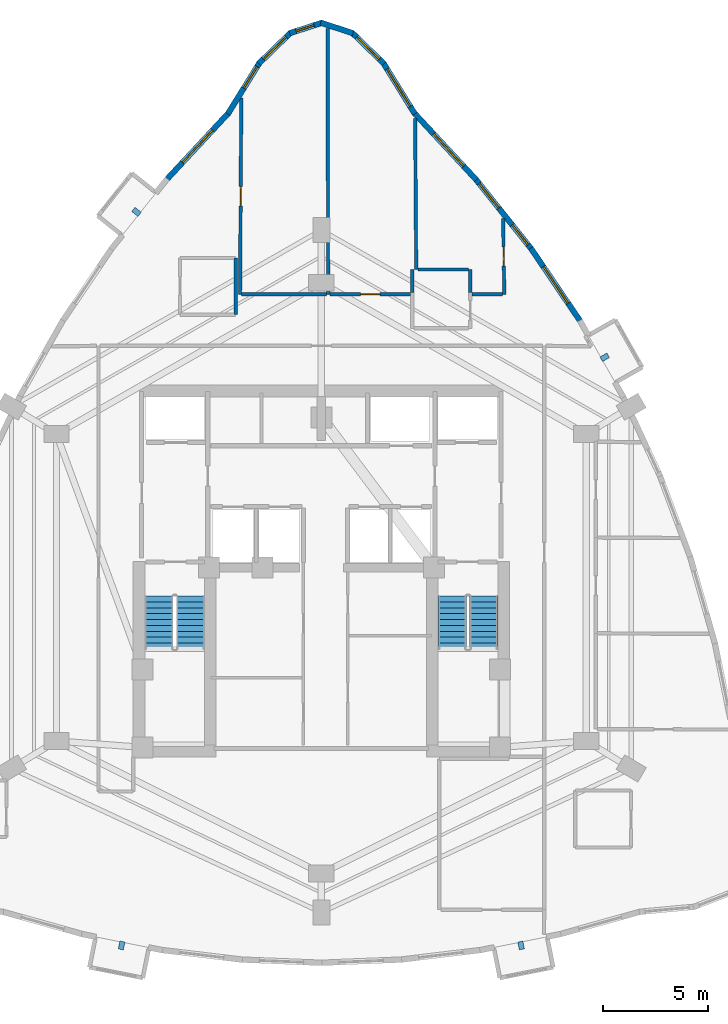
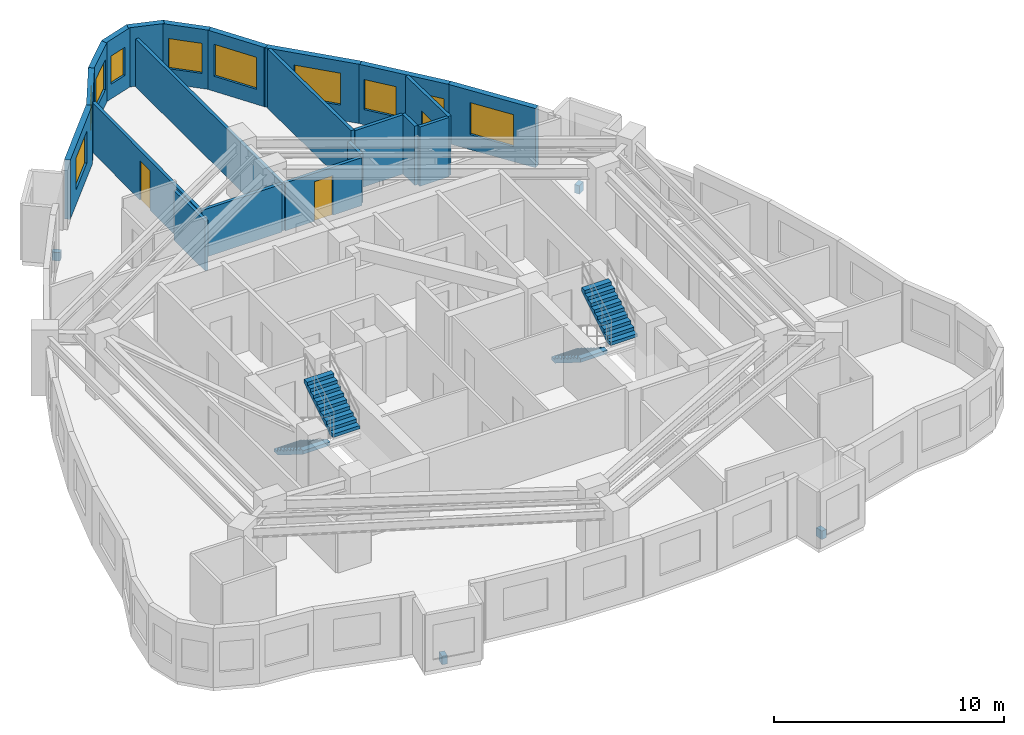
# One storey, part 8 of 9: 21 walls, 10 windows, 4 discrete accessories, 4 stair flights, 3 doors, 13 openings, 2 elements without a shape of their own.
"""IFC4 building model written with IfcOpenShell, lengths in metres."""

from ifc_helpers import new_model, si_unit, direction, frame, frame_2d, origin, origin_2d, place, context, subcontext, project, spatial, polyline, rectangle, outline, extrude, material, layer, layer_set, type_object, element, fill, aggregate, save


model = new_model("IFC4")

# Units and contexts
model_context = context("Model", 3, precision=1e-05, world=origin(), true_north=direction((0.0, 1.0)))
body_context = subcontext(model_context, "Body", "Model", "MODEL_VIEW")
ifc_project = project(units=[si_unit("LENGTHUNIT", "METRE"), si_unit("AREAUNIT", "SQUARE_METRE"), si_unit("VOLUMEUNIT", "CUBIC_METRE"), si_unit("PLANEANGLEUNIT", "RADIAN"), si_unit("MASSUNIT", "GRAM", prefix="KILO")], contexts=[model_context])

# Site, building, storey
site_placement = place(None, origin())
site = spatial("IfcSite", under=ifc_project, at=site_placement, CompositionType="ELEMENT")
building_placement = place(site_placement, origin())
building = spatial("IfcBuilding", under=site, at=building_placement, Name="Miruveldt Soraemaru", CompositionType="ELEMENT")
storey_placement = place(building_placement, frame((0.0, 0.0, 180.89990234375)))
storey = spatial("IfcBuildingStorey", under=building, at=storey_placement, Name="L50", CompositionType="ELEMENT", Elevation=180.89990234375)

# Wall, opening, window
ifc_material_1 = material(Name="Precast concrete C45/55 (45 MPa)", Category="concrete")
ifc_layer_1 = layer(ifc_material_1, 0.27001953125, Name="Precast concrete C45/55 (45 MPa)", Category="concrete")
ifc_layer_set_1 = layer_set([ifc_layer_1], Name="Precast concrete C45/55 (45 MPa)")
wall_type_1 = type_object("IfcWallType", Name="WALL-EXT-PC270", PredefinedType="SOLIDWALL", material=ifc_layer_set_1)
wall_1_placement = place(storey_placement, frame((48.448974609375, 65.631591796875, 0.0), z_axis=(0.0, 0.0, 1.0), x_axis=(-0.526027442781, 0.850467594586, 0.0)))
wall_1 = element("IfcWall", 1, at=wall_1_placement, inside=storey, type_object=wall_type_1, Name="L50 Precast Concrete Facade Wall 1", PredefinedType="SOLIDWALL", context=body_context, shape_type="SweptSolid", body=[
    extrude(rectangle(XDim=2.87744140625, YDim=0.27001953125, at=frame_2d((1.438720703125, 0.0))), origin(), (0.0, 0.0, 1.0), 3.150146484375),
])
opening_1_placement = place(wall_1_placement, frame((0.410888671875, 0.0, 0.800048828125)))
opening_1 = element("IfcOpeningElement", 2, at=opening_1_placement, cuts=wall_1, Name="Opening WN-1", PredefinedType="OPENING", context=body_context, shape_type="SweptSolid", body=[
    extrude(rectangle(XDim=2.10009765625, YDim=1.699951171875, at=frame_2d((1.050048828125, 0.85009765625))), frame((0.0, 0.14501953125, 0.0), z_axis=(0.0, -1.0, 0.0), x_axis=(1.0, 0.0, 0.0)), (0.0, 0.0, 1.0), 0.2900390625),
])
ifc_material_2 = material(Name="Triple low-e insulated glazing", Category="glass")
window_type_1 = type_object("IfcWindowType", Name="WIN-PUNCH-2100x1700", PartitioningType="SINGLE_PANEL", PredefinedType="WINDOW", material=ifc_material_2)
window_1_placement = place(opening_1_placement, origin())
window_1 = element("IfcWindow", 3, at=window_1_placement, inside=storey, type_object=window_type_1, Name="L50 Punched Triple-Glazed Window 01.1", OverallHeight=1.699951171875, OverallWidth=2.10009765625, PartitioningType="SINGLE_PANEL", PredefinedType="WINDOW", context=body_context, shape_type="SweptSolid", body=[
    extrude(rectangle(XDim=2.10009765625, YDim=1.699951171875, at=frame_2d((1.050048828125, 0.85009765625))), frame((0.0, 0.030029296875, 0.0), z_axis=(0.0, -1.0, 0.0), x_axis=(1.0, 0.0, 0.0)), (0.0, 0.0, 1.0), 0.06005859375),
])
fill(opening_1, window_1)

wall_2_placement = place(storey_placement, frame((46.978759765625, 68.024658203125, 0.0), z_axis=(0.0, 0.0, 1.0), x_axis=(-0.717756117481, 0.696294589824, 0.0)))
wall_2 = element("IfcWall", 4, at=wall_2_placement, inside=storey, type_object=wall_type_1, Name="L50 Precast Concrete Facade Wall 2", PredefinedType="SOLIDWALL", context=body_context, shape_type="SweptSolid", body=[
    extrude(rectangle(XDim=2.127197265625, YDim=0.27001953125, at=frame_2d((1.0634765625, 0.0))), origin(), (0.0, 0.0, 1.0), 3.150146484375),
])
opening_2_placement = place(wall_2_placement, frame((0.31396484375, 0.0, 0.800048828125)))
opening_2 = element("IfcOpeningElement", 5, at=opening_2_placement, cuts=wall_2, Name="Opening WN-3", PredefinedType="OPENING", context=body_context, shape_type="SweptSolid", body=[
    extrude(rectangle(XDim=1.5, YDim=1.60009765625, at=frame_2d((0.75, 0.800048828125))), frame((0.0, 0.14501953125, 0.0), z_axis=(0.0, -1.0, 0.0), x_axis=(1.0, 0.0, 0.0)), (0.0, 0.0, 1.0), 0.2900390625),
])
window_type_2 = type_object("IfcWindowType", Name="WIN-PUNCH-1500x1600", PartitioningType="SINGLE_PANEL", PredefinedType="WINDOW", material=ifc_material_2)
window_2_placement = place(opening_2_placement, origin())
window_2 = element("IfcWindow", 6, at=window_2_placement, inside=storey, type_object=window_type_2, Name="L50 Punched Triple-Glazed Window 02.1", OverallHeight=1.60009765625, OverallWidth=1.5, PartitioningType="SINGLE_PANEL", PredefinedType="WINDOW", context=body_context, shape_type="SweptSolid", body=[
    extrude(rectangle(XDim=1.5, YDim=1.60009765625, at=frame_2d((0.75, 0.800048828125))), frame((0.0, 0.030029296875, 0.0), z_axis=(0.0, -1.0, 0.0), x_axis=(1.0, 0.0, 0.0)), (0.0, 0.0, 1.0), 0.06005859375),
])
fill(opening_2, window_2)

# Wall
wall_3_placement = place(storey_placement, frame((45.51025390625, 69.470703125, 0.0), z_axis=(0.0, 0.0, 1.0), x_axis=(-0.951504137701, 0.307635947083, 0.0)))
element("IfcWall", 7, at=wall_3_placement, inside=storey, type_object=wall_type_1, Name="L50 Precast Concrete Facade Wall 3", PredefinedType="SOLIDWALL", context=body_context, shape_type="SweptSolid", body=[
    extrude(rectangle(XDim=1.6220703125, YDim=0.27001953125, at=frame_2d((0.81103515625, 0.0))), origin(), (0.0, 0.0, 1.0), 3.150146484375),
])

# Wall, opening, window
wall_4_placement = place(storey_placement, frame((44.033203125, 69.9697265625, 0.0), z_axis=(0.0, 0.0, 1.0), x_axis=(-0.951504137701, -0.307635947083, 0.0)))
wall_4 = element("IfcWall", 8, at=wall_4_placement, inside=storey, type_object=wall_type_1, Name="L50 Precast Concrete Facade Wall 4", PredefinedType="SOLIDWALL", context=body_context, shape_type="SweptSolid", body=[
    extrude(rectangle(XDim=1.6220703125, YDim=0.27001953125, at=frame_2d((0.81103515625, 0.0))), origin(), (0.0, 0.0, 1.0), 3.150146484375),
])
opening_3_placement = place(wall_4_placement, frame((0.39501953125, 0.0, 0.780029296875)))
opening_3 = element("IfcOpeningElement", 9, at=opening_3_placement, cuts=wall_4, Name="Opening WN-7", PredefinedType="OPENING", context=body_context, shape_type="SweptSolid", body=[
    extrude(rectangle(XDim=0.89990234375, YDim=1.5, at=frame_2d((0.449951171875, 0.75))), frame((0.0, 0.14501953125, 0.0), z_axis=(0.0, -1.0, 0.0), x_axis=(1.0, 0.0, 0.0)), (0.0, 0.0, 1.0), 0.2900390625),
])
window_type_3 = type_object("IfcWindowType", Name="WIN-PUNCH-900x1500", PartitioningType="SINGLE_PANEL", PredefinedType="WINDOW", material=ifc_material_2)
window_3_placement = place(opening_3_placement, origin())
window_3 = element("IfcWindow", 10, at=window_3_placement, inside=storey, type_object=window_type_3, Name="L50 Punched Triple-Glazed Window 04.1", OverallHeight=1.5, OverallWidth=0.89990234375, PartitioningType="SINGLE_PANEL", PredefinedType="WINDOW", context=body_context, shape_type="SweptSolid", body=[
    extrude(rectangle(XDim=0.89990234375, YDim=1.5, at=frame_2d((0.449951171875, 0.75))), frame((0.0, 0.030029296875, 0.0), z_axis=(0.0, -1.0, 0.0), x_axis=(1.0, 0.0, 0.0)), (0.0, 0.0, 1.0), 0.06005859375),
])
fill(opening_3, window_3)

wall_5_placement = place(storey_placement, frame((42.548095703125, 69.505859375, 0.0), z_axis=(0.0, 0.0, 1.0), x_axis=(-0.717756117481, -0.696294589824, 0.0)))
wall_5 = element("IfcWall", 11, at=wall_5_placement, inside=storey, type_object=wall_type_1, Name="L50 Precast Concrete Facade Wall 5", PredefinedType="SOLIDWALL", context=body_context, shape_type="SweptSolid", body=[
    extrude(rectangle(XDim=2.127197265625, YDim=0.27001953125, at=frame_2d((1.0634765625, 0.0))), origin(), (0.0, 0.0, 1.0), 3.150146484375),
])
opening_4_placement = place(wall_5_placement, frame((0.31396484375, 0.0, 0.800048828125)))
opening_4 = element("IfcOpeningElement", 12, at=opening_4_placement, cuts=wall_5, Name="Opening WN-3", PredefinedType="OPENING", context=body_context, shape_type="SweptSolid", body=[
    extrude(rectangle(XDim=1.5, YDim=1.60009765625, at=frame_2d((0.75, 0.800048828125))), frame((0.0, 0.14501953125, 0.0), z_axis=(0.0, -1.0, 0.0), x_axis=(1.0, 0.0, 0.0)), (0.0, 0.0, 1.0), 0.2900390625),
])
window_4_placement = place(opening_4_placement, origin())
window_4 = element("IfcWindow", 13, at=window_4_placement, inside=storey, type_object=window_type_2, Name="L50 Punched Triple-Glazed Window 05.1", OverallHeight=1.60009765625, OverallWidth=1.5, PartitioningType="SINGLE_PANEL", PredefinedType="WINDOW", context=body_context, shape_type="SweptSolid", body=[
    extrude(rectangle(XDim=1.5, YDim=1.60009765625, at=frame_2d((0.75, 0.800048828125))), frame((0.0, 0.030029296875, 0.0), z_axis=(0.0, -1.0, 0.0), x_axis=(1.0, 0.0, 0.0)), (0.0, 0.0, 1.0), 0.06005859375),
])
fill(opening_4, window_4)

wall_6_placement = place(storey_placement, frame((41.064697265625, 68.078857421875, 0.0), z_axis=(0.0, 0.0, 1.0), x_axis=(-0.526027442781, -0.850467594586, 0.0)))
wall_6 = element("IfcWall", 14, at=wall_6_placement, inside=storey, type_object=wall_type_1, Name="L50 Precast Concrete Facade Wall 6", PredefinedType="SOLIDWALL", context=body_context, shape_type="SweptSolid", body=[
    extrude(rectangle(XDim=2.87744140625, YDim=0.27001953125, at=frame_2d((1.438720703125, 0.0))), origin(), (0.0, 0.0, 1.0), 3.150146484375),
])
opening_5_placement = place(wall_6_placement, frame((0.23095703125, 0.0, 0.780029296875)))
opening_5 = element("IfcOpeningElement", 15, at=opening_5_placement, cuts=wall_6, Name="Opening WN-4", PredefinedType="OPENING", context=body_context, shape_type="SweptSolid", body=[
    extrude(rectangle(XDim=1.199951171875, YDim=1.550048828125, at=frame_2d((0.60009765625, 0.77490234375))), frame((0.0, 0.14501953125, 0.0), z_axis=(0.0, -1.0, 0.0), x_axis=(1.0, 0.0, 0.0)), (0.0, 0.0, 1.0), 0.2900390625),
])
window_type_4 = type_object("IfcWindowType", Name="WIN-PUNCH-1200x1550", PartitioningType="SINGLE_PANEL", PredefinedType="WINDOW", material=ifc_material_2)
window_5_placement = place(opening_5_placement, origin())
window_5 = element("IfcWindow", 16, at=window_5_placement, inside=storey, type_object=window_type_4, Name="L50 Punched Triple-Glazed Window 06.1", OverallHeight=1.550048828125, OverallWidth=1.199951171875, PartitioningType="SINGLE_PANEL", PredefinedType="WINDOW", context=body_context, shape_type="SweptSolid", body=[
    extrude(rectangle(XDim=1.199951171875, YDim=1.550048828125, at=frame_2d((0.60009765625, 0.77490234375))), frame((0.0, 0.030029296875, 0.0), z_axis=(0.0, -1.0, 0.0), x_axis=(1.0, 0.0, 0.0)), (0.0, 0.0, 1.0), 0.06005859375),
])
fill(opening_5, window_5)

wall_7_placement = place(storey_placement, frame((39.59326171875, 65.68701171875, 0.0), z_axis=(0.0, 0.0, 1.0), x_axis=(-0.680895300914, -0.732380767902, 0.0)))
wall_7 = element("IfcWall", 17, at=wall_7_placement, inside=storey, type_object=wall_type_1, Name="L50 Precast Concrete Facade Wall 7", PredefinedType="SOLIDWALL", context=body_context, shape_type="SweptSolid", body=[
    extrude(rectangle(XDim=4.362548828125, YDim=0.27001953125, at=frame_2d((2.18115234375, 0.0))), origin(), (0.0, 0.0, 1.0), 3.150146484375),
])
opening_6_placement = place(wall_7_placement, frame((1.131103515625, 0.0, 0.800048828125)))
opening_6 = element("IfcOpeningElement", 18, at=opening_6_placement, cuts=wall_7, Name="Opening WN-1", PredefinedType="OPENING", context=body_context, shape_type="SweptSolid", body=[
    extrude(rectangle(XDim=2.10009765625, YDim=1.699951171875, at=frame_2d((1.050048828125, 0.85009765625))), frame((0.0, 0.14501953125, 0.0), z_axis=(0.0, -1.0, 0.0), x_axis=(1.0, 0.0, 0.0)), (0.0, 0.0, 1.0), 0.2900390625),
])
window_6_placement = place(opening_6_placement, origin())
window_6 = element("IfcWindow", 19, at=window_6_placement, inside=storey, type_object=window_type_1, Name="L50 Punched Triple-Glazed Window 07.1", OverallHeight=1.699951171875, OverallWidth=2.10009765625, PartitioningType="SINGLE_PANEL", PredefinedType="WINDOW", context=body_context, shape_type="SweptSolid", body=[
    extrude(rectangle(XDim=2.10009765625, YDim=1.699951171875, at=frame_2d((1.050048828125, 0.85009765625))), frame((0.0, 0.030029296875, 0.0), z_axis=(0.0, -1.0, 0.0), x_axis=(1.0, 0.0, 0.0)), (0.0, 0.0, 1.0), 0.06005859375),
])
fill(opening_6, window_6)

wall_8_placement = place(storey_placement, frame((56.337158203125, 55.745849609375, 0.0), z_axis=(0.0, 0.0, 1.0), x_axis=(-0.560820092429, 0.827937693265, 0.0)))
wall_8 = element("IfcWall", 20, at=wall_8_placement, inside=storey, type_object=wall_type_1, Name="L50 Precast Concrete Facade Wall 40", PredefinedType="SOLIDWALL", context=body_context, shape_type="SweptSolid", body=[
    extrude(rectangle(XDim=4.233642578125, YDim=0.27001953125, at=frame_2d((2.11669921875, 0.0))), origin(), (0.0, 0.0, 1.0), 3.150146484375),
])
opening_7_placement = place(wall_8_placement, frame((1.06689453125, 0.0, 0.800048828125)))
opening_7 = element("IfcOpeningElement", 21, at=opening_7_placement, cuts=wall_8, Name="Opening WN-1", PredefinedType="OPENING", context=body_context, shape_type="SweptSolid", body=[
    extrude(rectangle(XDim=2.10009765625, YDim=1.699951171875, at=frame_2d((1.050048828125, 0.85009765625))), frame((0.0, 0.14501953125, 0.0), z_axis=(0.0, -1.0, 0.0), x_axis=(1.0, 0.0, 0.0)), (0.0, 0.0, 1.0), 0.2900390625),
])
window_7_placement = place(opening_7_placement, origin())
window_7 = element("IfcWindow", 22, at=window_7_placement, inside=storey, type_object=window_type_1, Name="L50 Punched Triple-Glazed Window 40.1", OverallHeight=1.699951171875, OverallWidth=2.10009765625, PartitioningType="SINGLE_PANEL", PredefinedType="WINDOW", context=body_context, shape_type="SweptSolid", body=[
    extrude(rectangle(XDim=2.10009765625, YDim=1.699951171875, at=frame_2d((1.050048828125, 0.85009765625))), frame((0.0, 0.030029296875, 0.0), z_axis=(0.0, -1.0, 0.0), x_axis=(1.0, 0.0, 0.0)), (0.0, 0.0, 1.0), 0.06005859375),
])
fill(opening_7, window_7)

# Wall, openings, windows
wall_9_placement = place(storey_placement, frame((54.00439453125, 59.194580078125, 0.0), z_axis=(0.0, 0.0, 1.0), x_axis=(-0.623603753029, 0.781740595855, 0.0)))
wall_9 = element("IfcWall", 23, at=wall_9_placement, inside=storey, type_object=wall_type_1, Name="L50 Precast Concrete Facade Wall 41", PredefinedType="SOLIDWALL", context=body_context, shape_type="SweptSolid", body=[
    extrude(rectangle(XDim=4.28564453125, YDim=0.27001953125, at=frame_2d((2.142822265625, 0.0))), origin(), (0.0, 0.0, 1.0), 3.150146484375),
])
opening_8_placement = place(wall_9_placement, frame((0.27392578125, 0.0, 0.780029296875)))
opening_8 = element("IfcOpeningElement", 24, at=opening_8_placement, cuts=wall_9, Name="Opening WN-4", PredefinedType="OPENING", context=body_context, shape_type="SweptSolid", body=[
    extrude(rectangle(XDim=1.199951171875, YDim=1.550048828125, at=frame_2d((0.60009765625, 0.77490234375))), frame((0.0, 0.14501953125, 0.0), z_axis=(0.0, -1.0, 0.0), x_axis=(1.0, 0.0, 0.0)), (0.0, 0.0, 1.0), 0.2900390625),
])
opening_9_placement = place(wall_9_placement, frame((2.507080078125, 0.0, 0.800048828125)))
opening_9 = element("IfcOpeningElement", 25, at=opening_9_placement, cuts=wall_9, Name="Opening WN-3", PredefinedType="OPENING", context=body_context, shape_type="SweptSolid", body=[
    extrude(rectangle(XDim=1.5, YDim=1.60009765625, at=frame_2d((0.75, 0.800048828125))), frame((0.0, 0.14501953125, 0.0), z_axis=(0.0, -1.0, 0.0), x_axis=(1.0, 0.0, 0.0)), (0.0, 0.0, 1.0), 0.2900390625),
])
window_8_placement = place(opening_8_placement, origin())
window_8 = element("IfcWindow", 26, at=window_8_placement, inside=storey, type_object=window_type_4, Name="L50 Punched Triple-Glazed Window 41.1", OverallHeight=1.550048828125, OverallWidth=1.199951171875, PartitioningType="SINGLE_PANEL", PredefinedType="WINDOW", context=body_context, shape_type="SweptSolid", body=[
    extrude(rectangle(XDim=1.199951171875, YDim=1.550048828125, at=frame_2d((0.60009765625, 0.77490234375))), frame((0.0, 0.030029296875, 0.0), z_axis=(0.0, -1.0, 0.0), x_axis=(1.0, 0.0, 0.0)), (0.0, 0.0, 1.0), 0.06005859375),
])
fill(opening_8, window_8)
window_9_placement = place(opening_9_placement, origin())
window_9 = element("IfcWindow", 27, at=window_9_placement, inside=storey, type_object=window_type_2, Name="L50 Punched Triple-Glazed Window 41.2", OverallHeight=1.60009765625, OverallWidth=1.5, PartitioningType="SINGLE_PANEL", PredefinedType="WINDOW", context=body_context, shape_type="SweptSolid", body=[
    extrude(rectangle(XDim=1.5, YDim=1.60009765625, at=frame_2d((0.75, 0.800048828125))), frame((0.0, 0.030029296875, 0.0), z_axis=(0.0, -1.0, 0.0), x_axis=(1.0, 0.0, 0.0)), (0.0, 0.0, 1.0), 0.06005859375),
])
fill(opening_9, window_9)

# Wall, opening, window
wall_10_placement = place(storey_placement, frame((51.377197265625, 62.491943359375, 0.0), z_axis=(0.0, 0.0, 1.0), x_axis=(-0.680895300914, 0.732380767902, 0.0)))
wall_10 = element("IfcWall", 28, at=wall_10_placement, inside=storey, type_object=wall_type_1, Name="L50 Precast Concrete Facade Wall 42", PredefinedType="SOLIDWALL", context=body_context, shape_type="SweptSolid", body=[
    extrude(rectangle(XDim=4.362548828125, YDim=0.27001953125, at=frame_2d((2.18115234375, 0.0))), origin(), (0.0, 0.0, 1.0), 3.150146484375),
])
opening_10_placement = place(wall_10_placement, frame((0.89111328125, 0.0, 0.800048828125)))
opening_10 = element("IfcOpeningElement", 29, at=opening_10_placement, cuts=wall_10, Name="Opening WN-1", PredefinedType="OPENING", context=body_context, shape_type="SweptSolid", body=[
    extrude(rectangle(XDim=2.10009765625, YDim=1.699951171875, at=frame_2d((1.050048828125, 0.85009765625))), frame((0.0, 0.14501953125, 0.0), z_axis=(0.0, -1.0, 0.0), x_axis=(1.0, 0.0, 0.0)), (0.0, 0.0, 1.0), 0.2900390625),
])
window_10_placement = place(opening_10_placement, origin())
window_10 = element("IfcWindow", 30, at=window_10_placement, inside=storey, type_object=window_type_1, Name="L50 Punched Triple-Glazed Window 42.1", OverallHeight=1.699951171875, OverallWidth=2.10009765625, PartitioningType="SINGLE_PANEL", PredefinedType="WINDOW", context=body_context, shape_type="SweptSolid", body=[
    extrude(rectangle(XDim=2.10009765625, YDim=1.699951171875, at=frame_2d((1.050048828125, 0.85009765625))), frame((0.0, 0.030029296875, 0.0), z_axis=(0.0, -1.0, 0.0), x_axis=(1.0, 0.0, 0.0)), (0.0, 0.0, 1.0), 0.06005859375),
])
fill(opening_10, window_10)

# Wall
ifc_material_3 = material(Name="Gypsum plasterboard lining", Category="gypsum")
ifc_layer_2 = layer(ifc_material_3, 0.14990234375, Name="Gypsum plasterboard lining", Category="gypsum")
ifc_layer_set_2 = layer_set([ifc_layer_2], Name="Gypsum plasterboard lining")
wall_type_2 = type_object("IfcWallType", Name="WALL-INT-PLUMB", PredefinedType="PLUMBINGWALL", material=ifc_layer_set_2)
wall_11_placement = place(storey_placement, frame((39.925048828125, 56.080078125, 0.0), z_axis=(0.0, 0.0, 1.0), x_axis=(0.0, 1.0, 0.0)))
element("IfcWall", 31, at=wall_11_placement, inside=storey, type_object=wall_type_2, Name="L50 Partition Wall 6", PredefinedType="PLUMBINGWALL", context=body_context, shape_type="SweptSolid", body=[
    extrude(rectangle(XDim=2.699951171875, YDim=0.14990234375, at=frame_2d((1.35009765625, 0.0))), origin(), (0.0, 0.0, 1.0), 2.63818359375),
])

# Wall, opening, door
ifc_material_4 = material(Name="Concrete C40/50 (40 MPa)", Category="concrete")
ifc_layer_3 = layer(ifc_material_4, 0.159912109375, Name="Concrete C40/50 (40 MPa)", Category="concrete")
ifc_layer_set_3 = layer_set([ifc_layer_3], Name="Concrete C40/50 (40 MPa)")
wall_type_3 = type_object("IfcWallType", Name="WALL-INT-RC160", PredefinedType="SOLIDWALL", material=ifc_layer_set_3)
wall_12_placement = place(storey_placement, frame((40.132080078125, 57.050048828125, 0.0), z_axis=(0.0, 0.0, 1.0), x_axis=(0.006408783315, 0.999979463537, 0.0)))
wall_12 = element("IfcWall", 32, at=wall_12_placement, inside=storey, type_object=wall_type_3, Name="L50 Partition Wall 14", PredefinedType="SOLIDWALL", context=body_context, shape_type="SweptSolid", body=[
    extrude(rectangle(XDim=9.333251953125, YDim=0.159912109375, at=frame_2d((4.66650390625, 0.0))), origin(), (0.0, 0.0, 1.0), 2.63818359375),
])
opening_11_placement = place(wall_12_placement, frame((4.20703125, 0.0, 0.0)))
opening_11 = element("IfcOpeningElement", 33, at=opening_11_placement, cuts=wall_12, Name="Opening D3A", PredefinedType="OPENING", context=body_context, shape_type="SweptSolid", body=[
    extrude(rectangle(XDim=0.919921875, YDim=2.10009765625, at=frame_2d((0.4599609375, 1.050048828125))), frame((0.0, 0.08984375, 0.0), z_axis=(0.0, -1.0, 0.0), x_axis=(1.0, 0.0, 0.0)), (0.0, 0.0, 1.0), 0.179931640625),
])
ifc_material_5 = material(Name="Anodised aluminium EN AW-6063 T6", Category="aluminium")
door_type = type_object("IfcDoorType", Name="DOOR-INT-920", OperationType="NOTDEFINED", PredefinedType="DOOR", material=ifc_material_5)
door_1_placement = place(opening_11_placement, origin())
door_1 = element("IfcDoor", 34, at=door_1_placement, inside=storey, type_object=door_type, Name="L50 Unit 5001 BD1 Door", OperationType="SINGLE_SWING_LEFT", OverallHeight=2.10009765625, OverallWidth=0.919921875, PredefinedType="DOOR", context=body_context, shape_type="SweptSolid", body=[
    extrude(rectangle(XDim=0.919921875, YDim=2.10009765625, at=frame_2d((0.4599609375, 1.050048828125))), frame((0.0, 0.02490234375, 0.0), z_axis=(0.0, -1.0, 0.0), x_axis=(1.0, 0.0, 0.0)), (0.0, 0.0, 1.0), 0.050048828125),
])
fill(opening_11, door_1)

wall_13_placement = place(storey_placement, frame((48.2451171875, 57.050048828125, 0.0), z_axis=(0.0, 0.0, 1.0), x_axis=(-1.0, 0.0, 0.0)))
wall_13 = element("IfcWall", 35, at=wall_13_placement, inside=storey, type_object=wall_type_3, Name="L50 Partition Wall 15", PredefinedType="SOLIDWALL", context=body_context, shape_type="SweptSolid", body=[
    extrude(rectangle(XDim=3.843017578125, YDim=0.159912109375, at=frame_2d((1.92138671875, 0.0))), origin(), (0.0, 0.0, 1.0), 2.550048828125),
])
opening_12_placement = place(wall_13_placement, frame((1.4609375, 0.0, 0.0)))
opening_12 = element("IfcOpeningElement", 36, at=opening_12_placement, cuts=wall_13, Name="Opening D3A", PredefinedType="OPENING", context=body_context, shape_type="SweptSolid", body=[
    extrude(rectangle(XDim=0.919921875, YDim=2.10009765625, at=frame_2d((0.4599609375, 1.050048828125))), frame((0.0, 0.08984375, 0.0), z_axis=(0.0, -1.0, 0.0), x_axis=(1.0, 0.0, 0.0)), (0.0, 0.0, 1.0), 0.179931640625),
])
door_2_placement = place(opening_12_placement, origin())
door_2 = element("IfcDoor", 37, at=door_2_placement, inside=storey, type_object=door_type, Name="L50 Unit 5001 BD2 Door", OperationType="SINGLE_SWING_RIGHT", OverallHeight=2.10009765625, OverallWidth=0.919921875, PredefinedType="DOOR", context=body_context, shape_type="SweptSolid", body=[
    extrude(rectangle(XDim=0.919921875, YDim=2.10009765625, at=frame_2d((0.4599609375, 1.050048828125))), frame((0.0, 0.02490234375, 0.0), z_axis=(0.0, -1.0, 0.0), x_axis=(1.0, 0.0, 0.0)), (0.0, 0.0, 1.0), 0.050048828125),
])
fill(opening_12, door_2)

wall_14_placement = place(storey_placement, frame((52.64697265625, 60.655029296875, 0.0), z_axis=(0.0, 0.0, 1.0), x_axis=(0.015235939552, -0.999883926336, 0.0)))
wall_14 = element("IfcWall", 38, at=wall_14_placement, inside=storey, type_object=wall_type_3, Name="L50 Partition Wall 16", PredefinedType="SOLIDWALL", context=body_context, shape_type="SweptSolid", body=[
    extrude(rectangle(XDim=3.60546875, YDim=0.159912109375, at=frame_2d((1.802734375, 0.0))), origin(), (0.0, 0.0, 1.0), 3.150146484375),
])
opening_13_placement = place(wall_14_placement, frame((1.343017578125, 0.0, 0.0)))
opening_13 = element("IfcOpeningElement", 39, at=opening_13_placement, cuts=wall_14, Name="Opening D3A", PredefinedType="OPENING", context=body_context, shape_type="SweptSolid", body=[
    extrude(rectangle(XDim=0.919921875, YDim=2.10009765625, at=frame_2d((0.4599609375, 1.050048828125))), frame((0.0, 0.08984375, 0.0), z_axis=(0.0, -1.0, 0.0), x_axis=(1.0, 0.0, 0.0)), (0.0, 0.0, 1.0), 0.179931640625),
])
door_3_placement = place(opening_13_placement, origin())
door_3 = element("IfcDoor", 40, at=door_3_placement, inside=storey, type_object=door_type, Name="L50 Unit 5001 BD3 Door", OperationType="SINGLE_SWING_LEFT", OverallHeight=2.10009765625, OverallWidth=0.919921875, PredefinedType="DOOR", context=body_context, shape_type="SweptSolid", body=[
    extrude(rectangle(XDim=0.919921875, YDim=2.10009765625, at=frame_2d((0.4599609375, 1.050048828125))), frame((0.0, 0.02490234375, 0.0), z_axis=(0.0, -1.0, 0.0), x_axis=(1.0, 0.0, 0.0)), (0.0, 0.0, 1.0), 0.050048828125),
])
fill(opening_13, door_3)

# Walls
wall_15_placement = place(storey_placement, frame((44.322021484375, 57.050048828125, 0.0), z_axis=(0.0, 0.0, 1.0), x_axis=(-0.001736409954, 0.999998492439, 0.0)))
element("IfcWall", 41, at=wall_15_placement, inside=storey, type_object=wall_type_3, Name="L50 Partition Wall 23", PredefinedType="SOLIDWALL", context=body_context, shape_type="SweptSolid", body=[
    extrude(rectangle(XDim=12.654052734375, YDim=0.159912109375, at=frame_2d((6.3271484375, 0.0))), origin(), (0.0, 0.0, 1.0), 2.550048828125),
])
wall_16_placement = place(storey_placement, frame((48.511962890625, 58.22998046875, 0.0), z_axis=(0.0, 0.0, 1.0), x_axis=(-0.007107455229, 0.999974741721, 0.0)))
element("IfcWall", 42, at=wall_16_placement, inside=storey, type_object=wall_type_3, Name="L50 Partition Wall 24", PredefinedType="SOLIDWALL", context=body_context, shape_type="SweptSolid", body=[
    extrude(rectangle(XDim=7.17919921875, YDim=0.159912109375, at=frame_2d((3.589599609375, 0.0))), origin(), (0.0, 0.0, 1.0), 3.150146484375),
])
wall_17_placement = place(storey_placement, frame((44.241943359375, 57.050048828125, 0.0), z_axis=(0.0, 0.0, 1.0), x_axis=(-1.0, 0.0, 0.0)))
element("IfcWall", 43, at=wall_17_placement, inside=storey, type_object=wall_type_3, Name="L50 Partition Wall 13", PredefinedType="SOLIDWALL", context=body_context, shape_type="SweptSolid", body=[
    extrude(rectangle(XDim=4.030029296875, YDim=0.159912109375, at=frame_2d((2.01513671875, 0.0))), origin(), (0.0, 0.0, 1.0), 2.550048828125),
])
wall_18_placement = place(storey_placement, frame((50.9951171875, 58.22998046875, 0.0), z_axis=(0.0, 0.0, 1.0), x_axis=(-1.0, 0.0, 0.0)))
element("IfcWall", 44, at=wall_18_placement, inside=storey, type_object=wall_type_3, Name="L50 Partition Wall 22", PredefinedType="SOLIDWALL", context=body_context, shape_type="SweptSolid", body=[
    extrude(rectangle(XDim=2.403076171875, YDim=0.159912109375, at=frame_2d((1.20166015625, 0.0))), origin(), (0.0, 0.0, 1.0), 3.150146484375),
])
wall_19_placement = place(storey_placement, frame((52.6220703125, 57.050048828125, 0.0), z_axis=(0.0, 0.0, 1.0), x_axis=(-1.0, 0.0, 0.0)))
element("IfcWall", 45, at=wall_19_placement, inside=storey, type_object=wall_type_3, Name="L50 Partition Wall 17", PredefinedType="SOLIDWALL", context=body_context, shape_type="SweptSolid", body=[
    extrude(rectangle(XDim=1.467041015625, YDim=0.159912109375, at=frame_2d((0.7333984375, 0.0))), origin(), (0.0, 0.0, 1.0), 3.150146484375),
])
wall_20_placement = place(storey_placement, frame((48.324951171875, 58.22998046875, 0.0), z_axis=(0.0, 0.0, 1.0), x_axis=(0.0, -1.0, 0.0)))
element("IfcWall", 46, at=wall_20_placement, inside=storey, type_object=wall_type_3, Name="L50 Partition Wall 20", PredefinedType="SOLIDWALL", context=body_context, shape_type="SweptSolid", body=[
    extrude(rectangle(XDim=1.090087890625, YDim=0.159912109375, at=frame_2d((0.544921875, 0.0))), origin(), (0.0, 0.0, 1.0), 2.63818359375),
])
wall_21_placement = place(storey_placement, frame((51.074951171875, 57.139892578125, 0.0), z_axis=(0.0, 0.0, 1.0), x_axis=(0.0, 1.0, 0.0)))
element("IfcWall", 47, at=wall_21_placement, inside=storey, type_object=wall_type_3, Name="L50 Partition Wall 21", PredefinedType="SOLIDWALL", context=body_context, shape_type="SweptSolid", body=[
    extrude(rectangle(XDim=1.090087890625, YDim=0.159912109375, at=frame_2d((0.544921875, 0.0))), origin(), (0.0, 0.0, 1.0), 3.150146484375),
])

# Stair, stair flights
stair_type = type_object("IfcStairType", Name="STAIR-DL-350", PredefinedType="HALF_TURN_STAIR", material=ifc_material_4)
stair_1_placement = place(storey_placement, origin())
stair_1 = element("IfcStair", 48, at=stair_1_placement, inside=storey, type_object=stair_type, Name="L50 Protected Exit Stair ST-1", PredefinedType="HALF_TURN_STAIR")
stair_flight_type = type_object("IfcStairFlightType", Name="SFL-DL-350", PredefinedType="STRAIGHT", material=ifc_material_4)
stair_flight_1_placement = place(storey_placement, frame((36.27490234375, 42.699951171875, 0.0), z_axis=(0.0, 0.0, 1.0), x_axis=(0.0, -1.0, 0.0)))
stair_flight_1 = element("IfcStairFlight", 49, at=stair_flight_1_placement, type_object=stair_flight_type, Name="ST-1 flight 1", NumberOfRisers=10, NumberOfTreads=9, PredefinedType="STRAIGHT", RiserHeight=0.175, TreadLength=0.28, context=body_context, shape_type="SweptSolid", body=[
    extrude(outline(polyline([(0.0, 0.0), (0.0, 0.175048828125), (0.280029296875, 0.175048828125), (0.280029296875, 0.35009765625), (0.56005859375, 0.35009765625), (0.56005859375, 0.52490234375), (0.840087890625, 0.52490234375), (0.840087890625, 0.699951171875), (1.1201171875, 0.699951171875), (1.1201171875, 0.875), (1.39990234375, 0.875), (1.39990234375, 1.050048828125), (1.679931640625, 1.050048828125), (1.679931640625, 1.22509765625), (1.9599609375, 1.22509765625), (1.9599609375, 1.39990234375), (2.239990234375, 1.39990234375), (2.239990234375, 1.574951171875), (2.52001953125, 1.574951171875), (2.52001953125, 1.75), (2.52001953125, 1.386474609375), (0.3017578125, 0.0), (0.0, 0.0)])), frame((0.0, 0.675048828125, 0.0), z_axis=(0.0, -1.0, 0.0), x_axis=(1.0, 0.0, 0.0)), (0.0, 0.0, 1.0), 1.35009765625),
])
stair_flight_2_placement = place(storey_placement, frame((37.77490234375, 40.179931640625, 1.75), z_axis=(0.0, 0.0, 1.0), x_axis=(0.0, 1.0, 0.0)))
stair_flight_2 = element("IfcStairFlight", 50, at=stair_flight_2_placement, type_object=stair_flight_type, Name="ST-1 flight 2", NumberOfRisers=10, NumberOfTreads=9, PredefinedType="STRAIGHT", RiserHeight=0.175, TreadLength=0.28, context=body_context, shape_type="SweptSolid", body=[
    extrude(outline(polyline([(0.0, 0.0), (0.0, 0.175048828125), (0.280029296875, 0.175048828125), (0.280029296875, 0.35009765625), (0.56005859375, 0.35009765625), (0.56005859375, 0.52490234375), (0.840087890625, 0.52490234375), (0.840087890625, 0.699951171875), (1.1201171875, 0.699951171875), (1.1201171875, 0.875), (1.39990234375, 0.875), (1.39990234375, 1.050048828125), (1.679931640625, 1.050048828125), (1.679931640625, 1.22509765625), (1.9599609375, 1.22509765625), (1.9599609375, 1.39990234375), (2.239990234375, 1.39990234375), (2.239990234375, 1.574951171875), (2.52001953125, 1.574951171875), (2.52001953125, 1.75), (2.52001953125, 1.386474609375), (0.3017578125, 0.0), (0.0, 0.0)])), frame((0.0, 0.675048828125, 0.0), z_axis=(0.0, -1.0, 0.0), x_axis=(1.0, 0.0, 0.0)), (0.0, 0.0, 1.0), 1.35009765625),
])
aggregate(stair_1, [stair_flight_1, stair_flight_2])

stair_2_placement = place(storey_placement, origin())
stair_2 = element("IfcStair", 51, at=stair_2_placement, inside=storey, type_object=stair_type, Name="L50 Protected Exit Stair ST-2", PredefinedType="HALF_TURN_STAIR")
stair_flight_3_placement = place(storey_placement, frame((50.22509765625, 42.699951171875, 0.0), z_axis=(0.0, 0.0, 1.0), x_axis=(0.0, -1.0, 0.0)))
stair_flight_3 = element("IfcStairFlight", 52, at=stair_flight_3_placement, type_object=stair_flight_type, Name="ST-2 flight 1", NumberOfRisers=10, NumberOfTreads=9, PredefinedType="STRAIGHT", RiserHeight=0.175, TreadLength=0.28, context=body_context, shape_type="SweptSolid", body=[
    extrude(outline(polyline([(0.0, 0.0), (0.0, 0.175048828125), (0.280029296875, 0.175048828125), (0.280029296875, 0.35009765625), (0.56005859375, 0.35009765625), (0.56005859375, 0.52490234375), (0.840087890625, 0.52490234375), (0.840087890625, 0.699951171875), (1.1201171875, 0.699951171875), (1.1201171875, 0.875), (1.39990234375, 0.875), (1.39990234375, 1.050048828125), (1.679931640625, 1.050048828125), (1.679931640625, 1.22509765625), (1.9599609375, 1.22509765625), (1.9599609375, 1.39990234375), (2.239990234375, 1.39990234375), (2.239990234375, 1.574951171875), (2.52001953125, 1.574951171875), (2.52001953125, 1.75), (2.52001953125, 1.386474609375), (0.3017578125, 0.0), (0.0, 0.0)])), frame((0.0, 0.675048828125, 0.0), z_axis=(0.0, -1.0, 0.0), x_axis=(1.0, 0.0, 0.0)), (0.0, 0.0, 1.0), 1.35009765625),
])
stair_flight_4_placement = place(storey_placement, frame((51.72509765625, 40.179931640625, 1.75), z_axis=(0.0, 0.0, 1.0), x_axis=(0.0, 1.0, 0.0)))
stair_flight_4 = element("IfcStairFlight", 53, at=stair_flight_4_placement, type_object=stair_flight_type, Name="ST-2 flight 2", NumberOfRisers=10, NumberOfTreads=9, PredefinedType="STRAIGHT", RiserHeight=0.175, TreadLength=0.28, context=body_context, shape_type="SweptSolid", body=[
    extrude(outline(polyline([(0.0, 0.0), (0.0, 0.175048828125), (0.280029296875, 0.175048828125), (0.280029296875, 0.35009765625), (0.56005859375, 0.35009765625), (0.56005859375, 0.52490234375), (0.840087890625, 0.52490234375), (0.840087890625, 0.699951171875), (1.1201171875, 0.699951171875), (1.1201171875, 0.875), (1.39990234375, 0.875), (1.39990234375, 1.050048828125), (1.679931640625, 1.050048828125), (1.679931640625, 1.22509765625), (1.9599609375, 1.22509765625), (1.9599609375, 1.39990234375), (2.239990234375, 1.39990234375), (2.239990234375, 1.574951171875), (2.52001953125, 1.574951171875), (2.52001953125, 1.75), (2.52001953125, 1.386474609375), (0.3017578125, 0.0), (0.0, 0.0)])), frame((0.0, 0.675048828125, 0.0), z_axis=(0.0, -1.0, 0.0), x_axis=(1.0, 0.0, 0.0)), (0.0, 0.0, 1.0), 1.35009765625),
])
aggregate(stair_2, [stair_flight_3, stair_flight_4])

# Discrete accessories
ifc_material_6 = material(Name="Steel SM355 (355 MPa)", Category="steel")
discrete_accessory_type = type_object("IfcDiscreteAccessoryType", Name="ACC-BAY-BRK", PredefinedType="BRACKET", material=ifc_material_6)
for number, where, z_axis, x_axis, name in (
    (54, (34.498046875, 26.075439453125, -0.7099609375), (0.0, 0.0, 1.0), (-0.196100176415, -0.980583867301, 0.0), "L50 Bay Window Cantilever Bracket 1"),
    (55, (53.501953125, 26.075439453125, -0.7099609375), (0.0, 0.0, 1.0), (0.196100176415, -0.980583867301, 0.0), "L50 Bay Window Cantilever Bracket 2"),
    (56, (57.477294921875, 54.054443359375, -0.7099609375), (0.0, 0.0, 1.0), (0.869822332902, 0.493365087117, 0.0), "L50 Bay Window Cantilever Bracket 3"),
    (57, (35.206787109375, 60.969482421875, -0.7099609375), (0.0, 0.0, 1.0), (-0.781727315753, 0.623620400408, 0.0), "L50 Bay Window Cantilever Bracket 4"),
):
    element("IfcDiscreteAccessory", number, at=place(storey_placement, frame(where, z_axis=z_axis, x_axis=x_axis)), inside=storey, type_object=discrete_accessory_type, Name=name, PredefinedType="BRACKET", context=body_context, shape_type="SweptSolid", body=[
        extrude(rectangle(XDim=0.3798828125, YDim=0.25, at=origin_2d()), origin(), (0.0, 0.0, 1.0), 0.449951171875),
    ])

save(model, "model.ifc")
